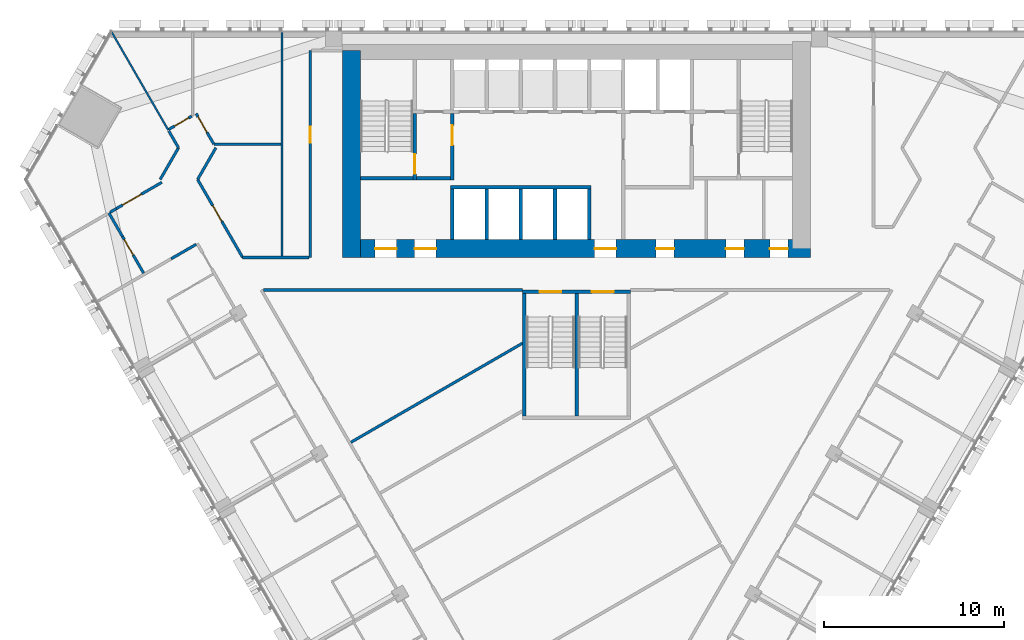
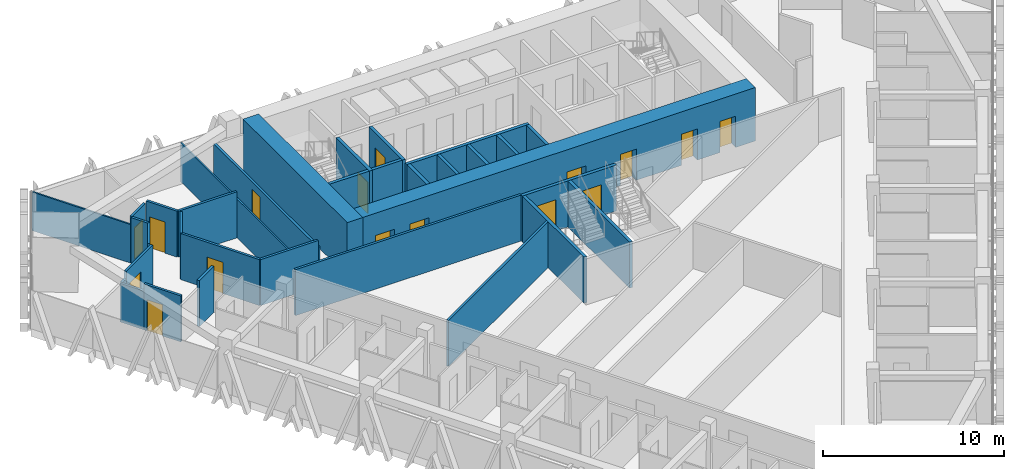
# One storey, part 12 of 18: 33 walls, 16 doors, 16 openings.
"""IFC4 building model written with IfcOpenShell, lengths in metres."""

from ifc_helpers import new_model, si_unit, direction, frame, frame_2d, origin, place, context, subcontext, project, spatial, rectangle, extrude, material, layer, layer_set, type_object, element, fill, save


model = new_model("IFC4")

# Units and contexts
model_context = context("Model", 3, precision=1e-05, world=origin(), true_north=direction((0.0, 1.0)))
body_context = subcontext(model_context, "Body", "Model", "MODEL_VIEW")
ifc_project = project(units=[si_unit("LENGTHUNIT", "METRE"), si_unit("AREAUNIT", "SQUARE_METRE"), si_unit("VOLUMEUNIT", "CUBIC_METRE"), si_unit("PLANEANGLEUNIT", "RADIAN"), si_unit("MASSUNIT", "GRAM", prefix="KILO")], contexts=[model_context])

# Site, building, storey
site_placement = place(None, origin())
site = spatial("IfcSite", under=ifc_project, at=site_placement, CompositionType="ELEMENT")
building_placement = place(site_placement, origin())
building = spatial("IfcBuilding", under=site, at=building_placement, Name="Altiplano Prism Tower", CompositionType="ELEMENT")
storey_placement = place(building_placement, frame((0.0, 0.0, 48.60009765625)))
storey = spatial("IfcBuildingStorey", under=building, at=storey_placement, Name="L11", CompositionType="ELEMENT", Elevation=48.60009765625)

# Wall, openings, doors
ifc_material_1 = material(Name="Concrete C70/85", Category="concrete")
ifc_layer_1 = layer(ifc_material_1, 1.0)
ifc_layer_set_1 = layer_set([ifc_layer_1], Name="Concrete C70/85")
wall_type_1 = type_object("IfcWallType", Name="Core wall 1000", PredefinedType="SHEAR", material=ifc_layer_set_1)
wall_1_placement = place(storey_placement, frame((72.5, 92.89990234375, 0.0), z_axis=(0.0, 0.0, 1.0), x_axis=(1.0, 0.0, 0.0)))
wall_1 = element("IfcWall", 1, at=wall_1_placement, inside=storey, type_object=wall_type_1, Name="Core wall S L11", PredefinedType="SHEAR", context=body_context, shape_type="SweptSolid", body=[
    extrude(rectangle(XDim=25.5, YDim=1.0, at=frame_2d((12.75, 0.0))), origin(), (0.0, 0.0, 1.0), 3.599853515625),
])
opening_1_placement = place(wall_1_placement, frame((1.300048828125, 0.0, 0.0)))
opening_1 = element("IfcOpeningElement", 2, at=opening_1_placement, cuts=wall_1, Name="Opening D2738", PredefinedType="OPENING", context=body_context, shape_type="SweptSolid", body=[
    extrude(rectangle(XDim=1.199951171875, YDim=2.10009765625, at=frame_2d((0.60009765625, 1.050048828125))), frame((0.0, 0.510498046875, 0.0), z_axis=(0.0, -1.0, 0.0), x_axis=(1.0, 0.0, 0.0)), (0.0, 0.0, 1.0), 1.02099609375),
])
opening_2_placement = place(wall_1_placement, frame((3.5, 0.0, 0.0)))
opening_2 = element("IfcOpeningElement", 3, at=opening_2_placement, cuts=wall_1, Name="Opening D2739", PredefinedType="OPENING", context=body_context, shape_type="SweptSolid", body=[
    extrude(rectangle(XDim=1.199951171875, YDim=2.10009765625, at=frame_2d((0.60009765625, 1.050048828125))), frame((0.0, 0.510498046875, 0.0), z_axis=(0.0, -1.0, 0.0), x_axis=(1.0, 0.0, 0.0)), (0.0, 0.0, 1.0), 1.02099609375),
])
opening_3_placement = place(wall_1_placement, frame((13.5, 0.0, 0.0)))
opening_3 = element("IfcOpeningElement", 4, at=opening_3_placement, cuts=wall_1, Name="Opening D2740", PredefinedType="OPENING", context=body_context, shape_type="SweptSolid", body=[
    extrude(rectangle(XDim=1.199951171875, YDim=2.10009765625, at=frame_2d((0.60009765625, 1.050048828125))), frame((0.0, 0.510498046875, 0.0), z_axis=(0.0, -1.0, 0.0), x_axis=(1.0, 0.0, 0.0)), (0.0, 0.0, 1.0), 1.02099609375),
])
opening_4_placement = place(wall_1_placement, frame((16.91259765625, 0.0, 0.0)))
opening_4 = element("IfcOpeningElement", 5, at=opening_4_placement, cuts=wall_1, Name="Opening D2743", PredefinedType="OPENING", context=body_context, shape_type="SweptSolid", body=[
    extrude(rectangle(XDim=1.0, YDim=2.10009765625, at=frame_2d((0.5, 1.050048828125))), frame((0.0, 0.510498046875, 0.0), z_axis=(0.0, -1.0, 0.0), x_axis=(1.0, 0.0, 0.0)), (0.0, 0.0, 1.0), 1.02099609375),
])
opening_5_placement = place(wall_1_placement, frame((20.800048828125, 0.0, 0.0)))
opening_5 = element("IfcOpeningElement", 6, at=opening_5_placement, cuts=wall_1, Name="Opening D2744", PredefinedType="OPENING", context=body_context, shape_type="SweptSolid", body=[
    extrude(rectangle(XDim=1.0, YDim=2.10009765625, at=frame_2d((0.5, 1.050048828125))), frame((0.0, 0.510498046875, 0.0), z_axis=(0.0, -1.0, 0.0), x_axis=(1.0, 0.0, 0.0)), (0.0, 0.0, 1.0), 1.02099609375),
])
opening_6_placement = place(wall_1_placement, frame((23.237548828125, 0.0, 0.0)))
opening_6 = element("IfcOpeningElement", 7, at=opening_6_placement, cuts=wall_1, Name="Opening D2745", PredefinedType="OPENING", context=body_context, shape_type="SweptSolid", body=[
    extrude(rectangle(XDim=1.0, YDim=2.10009765625, at=frame_2d((0.5, 1.050048828125))), frame((0.0, 0.510498046875, 0.0), z_axis=(0.0, -1.0, 0.0), x_axis=(1.0, 0.0, 0.0)), (0.0, 0.0, 1.0), 1.02099609375),
])
ifc_material_2 = material(Name="Fire-rated steel door", Category="steel")
door_type_1 = type_object("IfcDoorType", Name="Core room door 1000 x 2100", OperationType="NOTDEFINED", PredefinedType="NOTDEFINED", material=ifc_material_2)
door_1_placement = place(opening_4_placement, origin())
door_1 = element("IfcDoor", 8, at=door_1_placement, inside=storey, type_object=door_type_1, Name="Core room door D2743", OperationType="SINGLE_SWING_RIGHT", OverallHeight=2.10009765625, OverallWidth=1.0, PredefinedType="NOTDEFINED", context=body_context, shape_type="SweptSolid", body=[
    extrude(rectangle(XDim=1.0, YDim=2.10009765625, at=frame_2d((0.5, 1.050048828125))), frame((0.0, 0.02490234375, 0.0), z_axis=(0.0, -1.0, 0.0), x_axis=(1.0, 0.0, 0.0)), (0.0, 0.0, 1.0), 0.050048828125),
])
fill(opening_4, door_1)
door_2_placement = place(opening_5_placement, origin())
door_2 = element("IfcDoor", 9, at=door_2_placement, inside=storey, type_object=door_type_1, Name="Core room door D2744", OperationType="SINGLE_SWING_LEFT", OverallHeight=2.10009765625, OverallWidth=1.0, PredefinedType="NOTDEFINED", context=body_context, shape_type="SweptSolid", body=[
    extrude(rectangle(XDim=1.0, YDim=2.10009765625, at=frame_2d((0.5, 1.050048828125))), frame((0.0, 0.02490234375, 0.0), z_axis=(0.0, -1.0, 0.0), x_axis=(1.0, 0.0, 0.0)), (0.0, 0.0, 1.0), 0.050048828125),
])
fill(opening_5, door_2)
door_3_placement = place(opening_6_placement, origin())
door_3 = element("IfcDoor", 10, at=door_3_placement, inside=storey, type_object=door_type_1, Name="Core room door D2745", OperationType="SINGLE_SWING_RIGHT", OverallHeight=2.10009765625, OverallWidth=1.0, PredefinedType="NOTDEFINED", context=body_context, shape_type="SweptSolid", body=[
    extrude(rectangle(XDim=1.0, YDim=2.10009765625, at=frame_2d((0.5, 1.050048828125))), frame((0.0, 0.02490234375, 0.0), z_axis=(0.0, -1.0, 0.0), x_axis=(1.0, 0.0, 0.0)), (0.0, 0.0, 1.0), 0.050048828125),
])
fill(opening_6, door_3)
door_type_2 = type_object("IfcDoorType", Name="Lobby fire door 1200 x 2100", OperationType="NOTDEFINED", PredefinedType="NOTDEFINED", material=ifc_material_2)
door_4_placement = place(opening_1_placement, origin())
door_4 = element("IfcDoor", 11, at=door_4_placement, inside=storey, type_object=door_type_2, Name="Lobby fire door D2738", OperationType="SINGLE_SWING_RIGHT", OverallHeight=2.10009765625, OverallWidth=1.199951171875, PredefinedType="NOTDEFINED", context=body_context, shape_type="SweptSolid", body=[
    extrude(rectangle(XDim=1.199951171875, YDim=2.10009765625, at=frame_2d((0.60009765625, 1.050048828125))), frame((0.0, 0.02490234375, 0.0), z_axis=(0.0, -1.0, 0.0), x_axis=(1.0, 0.0, 0.0)), (0.0, 0.0, 1.0), 0.050048828125),
])
fill(opening_1, door_4)
door_5_placement = place(opening_2_placement, origin())
door_5 = element("IfcDoor", 12, at=door_5_placement, inside=storey, type_object=door_type_2, Name="Lobby fire door D2739", OperationType="SINGLE_SWING_LEFT", OverallHeight=2.10009765625, OverallWidth=1.199951171875, PredefinedType="NOTDEFINED", context=body_context, shape_type="SweptSolid", body=[
    extrude(rectangle(XDim=1.199951171875, YDim=2.10009765625, at=frame_2d((0.60009765625, 1.050048828125))), frame((0.0, 0.02490234375, 0.0), z_axis=(0.0, -1.0, 0.0), x_axis=(1.0, 0.0, 0.0)), (0.0, 0.0, 1.0), 0.050048828125),
])
fill(opening_2, door_5)
door_6_placement = place(opening_3_placement, origin())
door_6 = element("IfcDoor", 13, at=door_6_placement, inside=storey, type_object=door_type_2, Name="Lobby fire door D2740", OperationType="SINGLE_SWING_RIGHT", OverallHeight=2.10009765625, OverallWidth=1.199951171875, PredefinedType="NOTDEFINED", context=body_context, shape_type="SweptSolid", body=[
    extrude(rectangle(XDim=1.199951171875, YDim=2.10009765625, at=frame_2d((0.60009765625, 1.050048828125))), frame((0.0, 0.02490234375, 0.0), z_axis=(0.0, -1.0, 0.0), x_axis=(1.0, 0.0, 0.0)), (0.0, 0.0, 1.0), 0.050048828125),
])
fill(opening_3, door_6)

# Walls
wall_2_placement = place(storey_placement, frame((72.5, 103.89990234375, 0.0), z_axis=(0.0, 0.0, 1.0), x_axis=(0.0, -1.0, 0.0)))
element("IfcWall", 14, at=wall_2_placement, inside=storey, type_object=wall_type_1, Name="Core wall W L11", PredefinedType="SHEAR", context=body_context, shape_type="SweptSolid", body=[
    extrude(rectangle(XDim=11.5, YDim=1.0, at=frame_2d((5.75, 0.0))), origin(), (0.0, 0.0, 1.0), 3.599853515625),
])
ifc_material_3 = material(Name="Plasterboard on steel stud", Category="steel")
ifc_layer_2 = layer(ifc_material_3, 0.10009765625)
ifc_layer_set_2 = layer_set([ifc_layer_2], Name="Plasterboard on steel stud")
wall_type_2 = type_object("IfcWallType", Name="Partition 100 wet", PredefinedType="PARTITIONING", material=ifc_layer_set_2)
wall_3_placement = place(storey_placement, frame((59.1826171875, 104.89990234375, 0.0), z_axis=(0.0, 0.0, 1.0), x_axis=(0.500005118993, -0.866022448312, 0.0)))
element("IfcWall", 15, at=wall_3_placement, inside=storey, type_object=wall_type_2, Name="Partition P03 L11 045", PredefinedType="PARTITIONING", context=body_context, shape_type="SweptSolid", body=[
    extrude(rectangle(XDim=6.25537109375, YDim=0.10009765625, at=frame_2d((3.127685546875, 0.0))), origin(), (0.0, 0.0, 1.0), 2.599853515625),
])
wall_4_placement = place(storey_placement, frame((68.633056640625, 104.89990234375, 0.0), z_axis=(0.0, 0.0, 1.0), x_axis=(0.0, -1.0, 0.0)))
element("IfcWall", 16, at=wall_4_placement, inside=storey, type_object=wall_type_2, Name="Partition P03 L11 046", PredefinedType="PARTITIONING", context=body_context, shape_type="SweptSolid", body=[
    extrude(rectangle(XDim=12.4248046875, YDim=0.10009765625, at=frame_2d((6.21240234375, 0.0))), origin(), (0.0, 0.0, 1.0), 2.599853515625),
])

# Wall, opening, door
ifc_layer_3 = layer(ifc_material_3, 0.14990234375)
ifc_layer_set_3 = layer_set([ifc_layer_3], Name="Plasterboard on steel stud")
wall_type_3 = type_object("IfcWallType", Name="Partition 150 corridor", PredefinedType="PARTITIONING", material=ifc_layer_set_3)
wall_5_placement = place(storey_placement, frame((63.611572265625, 100.2568359375, 0.0), z_axis=(0.0, 0.0, 1.0), x_axis=(-0.866038398192, -0.499977492351, 0.0)))
wall_5 = element("IfcWall", 17, at=wall_5_placement, inside=storey, type_object=wall_type_3, Name="Partition P06 L11 001", PredefinedType="PARTITIONING", context=body_context, shape_type="SweptSolid", body=[
    extrude(rectangle(XDim=1.4638671875, YDim=0.14990234375, at=frame_2d((0.73193359375, 0.0))), origin(), (0.0, 0.0, 1.0), 3.099853515625),
])
opening_7_placement = place(wall_5_placement, frame((0.199951171875, 0.0, 0.0)))
opening_7 = element("IfcOpeningElement", 18, at=opening_7_placement, cuts=wall_5, Name="Opening D0422", PredefinedType="OPENING", context=body_context, shape_type="SweptSolid", body=[
    extrude(rectangle(XDim=0.89990234375, YDim=2.10009765625, at=frame_2d((0.449951171875, 1.050048828125))), frame((0.0, 0.08544921875, 0.0), z_axis=(0.0, -1.0, 0.0), x_axis=(1.0, 0.0, 0.0)), (0.0, 0.0, 1.0), 0.1708984375),
])
ifc_material_4 = material(Name="Timber", Category="wood")
door_type_3 = type_object("IfcDoorType", Name="Toilet door 900 x 2100", OperationType="NOTDEFINED", PredefinedType="NOTDEFINED", material=ifc_material_4)
door_7_placement = place(opening_7_placement, origin())
door_7 = element("IfcDoor", 19, at=door_7_placement, inside=storey, type_object=door_type_3, Name="Door D0422", OperationType="SINGLE_SWING_RIGHT", OverallHeight=2.10009765625, OverallWidth=0.89990234375, PredefinedType="NOTDEFINED", context=body_context, shape_type="SweptSolid", body=[
    extrude(rectangle(XDim=0.89990234375, YDim=2.10009765625, at=frame_2d((0.449951171875, 1.050048828125))), frame((0.0, 0.02490234375, 0.0), z_axis=(0.0, -1.0, 0.0), x_axis=(1.0, 0.0, 0.0)), (0.0, 0.0, 1.0), 0.050048828125),
])
fill(opening_7, door_7)

wall_6_placement = place(storey_placement, frame((70.199951171875, 103.89990234375, 0.0), z_axis=(0.0, 0.0, 1.0), x_axis=(0.0, -1.0, 0.0)))
wall_6 = element("IfcWall", 20, at=wall_6_placement, inside=storey, type_object=wall_type_3, Name="Partition P06 L11 003", PredefinedType="PARTITIONING", context=body_context, shape_type="SweptSolid", body=[
    extrude(rectangle(XDim=11.5, YDim=0.14990234375, at=frame_2d((5.75, 0.0))), origin(), (0.0, 0.0, 1.0), 2.599853515625),
])
opening_8_placement = place(wall_6_placement, frame((4.22607421875, 0.0, 0.0)))
opening_8 = element("IfcOpeningElement", 21, at=opening_8_placement, cuts=wall_6, Name="Opening D0423", PredefinedType="OPENING", context=body_context, shape_type="SweptSolid", body=[
    extrude(rectangle(XDim=0.89990234375, YDim=2.10009765625, at=frame_2d((0.449951171875, 1.050048828125))), frame((0.0, 0.08544921875, 0.0), z_axis=(0.0, -1.0, 0.0), x_axis=(1.0, 0.0, 0.0)), (0.0, 0.0, 1.0), 0.1708984375),
])
door_8_placement = place(opening_8_placement, origin())
door_8 = element("IfcDoor", 22, at=door_8_placement, inside=storey, type_object=door_type_3, Name="Door D0423", OperationType="SINGLE_SWING_LEFT", OverallHeight=2.10009765625, OverallWidth=0.89990234375, PredefinedType="NOTDEFINED", context=body_context, shape_type="SweptSolid", body=[
    extrude(rectangle(XDim=0.89990234375, YDim=2.10009765625, at=frame_2d((0.449951171875, 1.050048828125))), frame((0.0, 0.02490234375, 0.0), z_axis=(0.0, -1.0, 0.0), x_axis=(1.0, 0.0, 0.0)), (0.0, 0.0, 1.0), 0.050048828125),
])
fill(opening_8, door_8)

# Wall
wall_7_placement = place(storey_placement, frame((70.125, 92.39990234375, 0.0), z_axis=(0.0, 0.0, 1.0), x_axis=(-1.0, 0.0, 0.0)))
element("IfcWall", 23, at=wall_7_placement, inside=storey, type_object=wall_type_3, Name="Partition P06 L11 004", PredefinedType="PARTITIONING", context=body_context, shape_type="SweptSolid", body=[
    extrude(rectangle(XDim=3.679443359375, YDim=0.14990234375, at=frame_2d((1.83984375, 0.0))), origin(), (0.0, 0.0, 1.0), 3.099853515625),
])

# Wall, opening, door
wall_8_placement = place(storey_placement, frame((66.445556640625, 92.39990234375, 0.0), z_axis=(0.0, 0.0, 1.0), x_axis=(-0.500000789788, 0.8660249478, 0.0)))
wall_8 = element("IfcWall", 24, at=wall_8_placement, inside=storey, type_object=wall_type_3, Name="Partition P06 L11 005", PredefinedType="PARTITIONING", context=body_context, shape_type="SweptSolid", body=[
    extrude(rectangle(XDim=5.01123046875, YDim=0.14990234375, at=frame_2d((2.505615234375, 0.0))), origin(), (0.0, 0.0, 1.0), 3.099853515625),
])
opening_9_placement = place(wall_8_placement, frame((2.3291015625, 0.0, 0.0)))
opening_9 = element("IfcOpeningElement", 25, at=opening_9_placement, cuts=wall_8, Name="Opening D0424", PredefinedType="OPENING", context=body_context, shape_type="SweptSolid", body=[
    extrude(rectangle(XDim=1.0, YDim=2.10009765625, at=frame_2d((0.5, 1.050048828125))), frame((0.0, 0.08544921875, 0.0), z_axis=(0.0, -1.0, 0.0), x_axis=(1.0, 0.0, 0.0)), (0.0, 0.0, 1.0), 0.1708984375),
])
door_type_4 = type_object("IfcDoorType", Name="Store door 1000 x 2100", OperationType="NOTDEFINED", PredefinedType="NOTDEFINED", material=ifc_material_4)
door_9_placement = place(opening_9_placement, origin())
door_9 = element("IfcDoor", 26, at=door_9_placement, inside=storey, type_object=door_type_4, Name="Door D0424", OperationType="SINGLE_SWING_RIGHT", OverallHeight=2.10009765625, OverallWidth=1.0, PredefinedType="NOTDEFINED", context=body_context, shape_type="SweptSolid", body=[
    extrude(rectangle(XDim=1.0, YDim=2.10009765625, at=frame_2d((0.5, 1.050048828125))), frame((0.0, 0.02490234375, 0.0), z_axis=(0.0, -1.0, 0.0), x_axis=(1.0, 0.0, 0.0)), (0.0, 0.0, 1.0), 0.050048828125),
])
fill(opening_9, door_9)

# Wall
wall_9_placement = place(storey_placement, frame((63.93994140625, 96.73974609375, 0.0), z_axis=(0.0, 0.0, 1.0), x_axis=(0.50002743572, 0.866009563185, 0.0)))
element("IfcWall", 27, at=wall_9_placement, inside=storey, type_object=wall_type_3, Name="Partition P06 L11 006", PredefinedType="PARTITIONING", context=body_context, shape_type="SweptSolid", body=[
    extrude(rectangle(XDim=2.03271484375, YDim=0.14990234375, at=frame_2d((1.016357421875, 0.0))), origin(), (0.0, 0.0, 1.0), 3.099853515625),
])

# Wall, opening, door
wall_10_placement = place(storey_placement, frame((64.841552734375, 98.700439453125, 0.0), z_axis=(0.0, 0.0, 1.0), x_axis=(-0.500379133502, 0.865806400274, 0.0)))
wall_10 = element("IfcWall", 28, at=wall_10_placement, inside=storey, type_object=wall_type_3, Name="Partition P06 L11 007", PredefinedType="PARTITIONING", context=body_context, shape_type="SweptSolid", body=[
    extrude(rectangle(XDim=1.962890625, YDim=0.14990234375, at=frame_2d((0.9814453125, 0.0))), origin(), (0.0, 0.0, 1.0), 3.099853515625),
])
opening_10_placement = place(wall_10_placement, frame((0.762939453125, 0.0, 0.0)))
opening_10 = element("IfcOpeningElement", 29, at=opening_10_placement, cuts=wall_10, Name="Opening D0425", PredefinedType="OPENING", context=body_context, shape_type="SweptSolid", body=[
    extrude(rectangle(XDim=1.0, YDim=2.10009765625, at=frame_2d((0.5, 1.050048828125))), frame((0.0, 0.08544921875, 0.0), z_axis=(0.0, -1.0, 0.0), x_axis=(1.0, 0.0, 0.0)), (0.0, 0.0, 1.0), 0.1708984375),
])
door_10_placement = place(opening_10_placement, origin())
door_10 = element("IfcDoor", 30, at=door_10_placement, inside=storey, type_object=door_type_4, Name="Door D0425", OperationType="SINGLE_SWING_LEFT", OverallHeight=2.10009765625, OverallWidth=1.0, PredefinedType="NOTDEFINED", context=body_context, shape_type="SweptSolid", body=[
    extrude(rectangle(XDim=1.0, YDim=2.10009765625, at=frame_2d((0.5, 1.050048828125))), frame((0.0, 0.02490234375, 0.0), z_axis=(0.0, -1.0, 0.0), x_axis=(1.0, 0.0, 0.0)), (0.0, 0.0, 1.0), 0.050048828125),
])
fill(opening_10, door_10)

# Walls
wall_11_placement = place(storey_placement, frame((62.337890625, 99.43505859375, 0.0), z_axis=(0.0, 0.0, 1.0), x_axis=(0.499957341738, -0.866050031143, 0.0)))
element("IfcWall", 31, at=wall_11_placement, inside=storey, type_object=wall_type_3, Name="Partition P06 L11 008", PredefinedType="PARTITIONING", context=body_context, shape_type="SweptSolid", body=[
    extrude(rectangle(XDim=1.07958984375, YDim=0.14990234375, at=frame_2d((0.539794921875, 0.0))), origin(), (0.0, 0.0, 1.0), 3.099853515625),
])
wall_12_placement = place(storey_placement, frame((62.877685546875, 98.5, 0.0), z_axis=(0.0, 0.0, 1.0), x_axis=(-0.50002743572, -0.866009563185, 0.0)))
element("IfcWall", 32, at=wall_12_placement, inside=storey, type_object=wall_type_3, Name="Partition P06 L11 009", PredefinedType="PARTITIONING", context=body_context, shape_type="SweptSolid", body=[
    extrude(rectangle(XDim=2.03271484375, YDim=0.14990234375, at=frame_2d((1.016357421875, 0.0))), origin(), (0.0, 0.0, 1.0), 3.099853515625),
])

# Wall, opening, door
wall_13_placement = place(storey_placement, frame((61.953857421875, 96.579833984375, 0.0), z_axis=(0.0, 0.0, 1.0), x_axis=(-0.866013036001, -0.500021421018, 0.0)))
wall_13 = element("IfcWall", 33, at=wall_13_placement, inside=storey, type_object=wall_type_3, Name="Partition P06 L11 010", PredefinedType="PARTITIONING", context=body_context, shape_type="SweptSolid", body=[
    extrude(rectangle(XDim=2.921630859375, YDim=0.14990234375, at=frame_2d((1.4609375, 0.0))), origin(), (0.0, 0.0, 1.0), 3.099853515625),
])
opening_11_placement = place(wall_13_placement, frame((1.321044921875, 0.0, 0.0)))
opening_11 = element("IfcOpeningElement", 34, at=opening_11_placement, cuts=wall_13, Name="Opening D0426", PredefinedType="OPENING", context=body_context, shape_type="SweptSolid", body=[
    extrude(rectangle(XDim=1.199951171875, YDim=2.10009765625, at=frame_2d((0.60009765625, 1.050048828125))), frame((0.0, 0.08544921875, 0.0), z_axis=(0.0, -1.0, 0.0), x_axis=(1.0, 0.0, 0.0)), (0.0, 0.0, 1.0), 0.1708984375),
])
door_type_5 = type_object("IfcDoorType", Name="Shared room door 1200 x 2100", OperationType="NOTDEFINED", PredefinedType="NOTDEFINED", material=ifc_material_4)
door_11_placement = place(opening_11_placement, origin())
door_11 = element("IfcDoor", 35, at=door_11_placement, inside=storey, type_object=door_type_5, Name="Door D0426", OperationType="SINGLE_SWING_RIGHT", OverallHeight=2.10009765625, OverallWidth=1.199951171875, PredefinedType="NOTDEFINED", context=body_context, shape_type="SweptSolid", body=[
    extrude(rectangle(XDim=1.199951171875, YDim=2.10009765625, at=frame_2d((0.60009765625, 1.050048828125))), frame((0.0, 0.02490234375, 0.0), z_axis=(0.0, -1.0, 0.0), x_axis=(1.0, 0.0, 0.0)), (0.0, 0.0, 1.0), 0.050048828125),
])
fill(opening_11, door_11)

# Walls
wall_14_placement = place(storey_placement, frame((59.423583984375, 95.118896484375, 0.0), z_axis=(0.0, 0.0, 1.0), x_axis=(-0.866074730264, -0.499914554297, 0.0)))
element("IfcWall", 36, at=wall_14_placement, inside=storey, type_object=wall_type_3, Name="Partition P06 L11 011", PredefinedType="PARTITIONING", context=body_context, shape_type="SweptSolid", body=[
    extrude(rectangle(XDim=0.4033203125, YDim=0.14990234375, at=frame_2d((0.20166015625, 0.0))), origin(), (0.0, 0.0, 1.0), 2.599853515625),
])
wall_15_placement = place(storey_placement, frame((59.00927734375, 94.879638671875, 0.0), z_axis=(0.0, 0.0, 1.0), x_axis=(0.500045262687, -0.865999269783, 0.0)))
element("IfcWall", 37, at=wall_15_placement, inside=storey, type_object=wall_type_3, Name="Partition P06 L11 012", PredefinedType="PARTITIONING", context=body_context, shape_type="SweptSolid", body=[
    extrude(rectangle(XDim=1.505615234375, YDim=0.14990234375, at=frame_2d((0.7529296875, 0.0))), origin(), (0.0, 0.0, 1.0), 2.599853515625),
])

# Wall, opening, door
wall_16_placement = place(storey_placement, frame((59.76220703125, 93.57568359375, 0.0), z_axis=(0.0, 0.0, 1.0), x_axis=(0.500027327967, -0.8660096254, 0.0)))
wall_16 = element("IfcWall", 38, at=wall_16_placement, inside=storey, type_object=wall_type_3, Name="Partition P06 L11 013", PredefinedType="PARTITIONING", context=body_context, shape_type="SweptSolid", body=[
    extrude(rectangle(XDim=2.356689453125, YDim=0.14990234375, at=frame_2d((1.17822265625, 0.0))), origin(), (0.0, 0.0, 1.0), 3.099853515625),
])
opening_12_placement = place(wall_16_placement, frame((0.199951171875, 0.0, 0.0)))
opening_12 = element("IfcOpeningElement", 39, at=opening_12_placement, cuts=wall_16, Name="Opening D0427", PredefinedType="OPENING", context=body_context, shape_type="SweptSolid", body=[
    extrude(rectangle(XDim=1.0, YDim=2.10009765625, at=frame_2d((0.5, 1.050048828125))), frame((0.0, 0.08544921875, 0.0), z_axis=(0.0, -1.0, 0.0), x_axis=(1.0, 0.0, 0.0)), (0.0, 0.0, 1.0), 0.1708984375),
])
door_type_6 = type_object("IfcDoorType", Name="Room door 1000 x 2100", OperationType="NOTDEFINED", PredefinedType="NOTDEFINED", material=ifc_material_4)
door_12_placement = place(opening_12_placement, origin())
door_12 = element("IfcDoor", 40, at=door_12_placement, inside=storey, type_object=door_type_6, Name="Door D0427", OperationType="SINGLE_SWING_RIGHT", OverallHeight=2.10009765625, OverallWidth=1.0, PredefinedType="NOTDEFINED", context=body_context, shape_type="SweptSolid", body=[
    extrude(rectangle(XDim=1.0, YDim=2.10009765625, at=frame_2d((0.5, 1.050048828125))), frame((0.0, 0.02490234375, 0.0), z_axis=(0.0, -1.0, 0.0), x_axis=(1.0, 0.0, 0.0)), (0.0, 0.0, 1.0), 0.050048828125),
])
fill(opening_12, door_12)

# Walls
wall_17_placement = place(storey_placement, frame((62.467529296875, 92.329833984375, 0.0), z_axis=(0.0, 0.0, 1.0), x_axis=(0.866053882819, 0.499950669621, 0.0)))
element("IfcWall", 41, at=wall_17_placement, inside=storey, type_object=wall_type_3, Name="Partition P06 L11 014", PredefinedType="PARTITIONING", context=body_context, shape_type="SweptSolid", body=[
    extrude(rectangle(XDim=1.605224609375, YDim=0.14990234375, at=frame_2d((0.802734375, 0.0))), origin(), (0.0, 0.0, 1.0), 3.099853515625),
])
wall_18_placement = place(storey_placement, frame((67.614501953125, 90.60009765625, 0.0), z_axis=(0.0, 0.0, 1.0), x_axis=(0.999999997696, -6.7885206e-05, 0.0)))
element("IfcWall", 42, at=wall_18_placement, inside=storey, type_object=wall_type_3, Name="Partition P06 L11 043", PredefinedType="PARTITIONING", context=body_context, shape_type="SweptSolid", body=[
    extrude(rectangle(XDim=14.385498046875, YDim=0.14990234375, at=frame_2d((7.19287109375, 0.0))), origin(), (0.0, 0.0, 1.0), 3.099853515625),
])
ifc_layer_4 = layer(ifc_material_3, 0.14990234375)
ifc_layer_set_4 = layer_set([ifc_layer_4], Name="Plasterboard on steel stud")
wall_type_4 = type_object("IfcWallType", Name="Partition 150 party", PredefinedType="PARTITIONING", material=ifc_layer_set_4)
wall_19_placement = place(storey_placement, frame((68.5830078125, 98.700439453125, 0.0), z_axis=(0.0, 0.0, 1.0), x_axis=(-1.0, 0.0, 0.0)))
element("IfcWall", 43, at=wall_19_placement, inside=storey, type_object=wall_type_4, Name="Partition P01 L11 047", PredefinedType="PARTITIONING", context=body_context, shape_type="SweptSolid", body=[
    extrude(rectangle(XDim=3.741455078125, YDim=0.14990234375, at=frame_2d((1.87060546875, 0.0))), origin(), (0.0, 0.0, 1.0), 3.099853515625),
])
wall_20_placement = place(storey_placement, frame((72.458740234375, 82.134521484375, 0.0), z_axis=(0.0, 0.0, 1.0), x_axis=(0.866029490193, 0.499992922065, 0.0)))
element("IfcWall", 44, at=wall_20_placement, inside=storey, type_object=wall_type_4, Name="Partition P01 L11 112", PredefinedType="PARTITIONING", context=body_context, shape_type="SweptSolid", body=[
    extrude(rectangle(XDim=11.017333984375, YDim=0.14990234375, at=frame_2d((5.5087890625, 0.0))), origin(), (0.0, 0.0, 1.0), 3.099853515625),
])
ifc_material_5 = material(Name="Concrete C60/75", Category="concrete")
ifc_layer_5 = layer(ifc_material_5, 0.199951171875)
ifc_layer_set_5 = layer_set([ifc_layer_5], Name="Concrete C60/75")
wall_type_5 = type_object("IfcWallType", Name="Shaft wall 200", PredefinedType="SOLIDWALL", material=ifc_layer_set_5)
for number, where, z_axis, x_axis, name in (
    (45, (78.10009765625, 93.39990234375, 0.0), (0.0, 0.0, 1.0), (0.0, 1.0, 0.0), "Shaft wall L11"),
    (46, (80.0, 93.39990234375, 0.0), (0.0, 0.0, 1.0), (0.0, 1.0, 0.0), "Shaft wall L11"),
    (47, (81.89990234375, 93.39990234375, 0.0), (0.0, 0.0, 1.0), (0.0, 1.0, 0.0), "Shaft wall L11"),
    (48, (83.800048828125, 93.39990234375, 0.0), (0.0, 0.0, 1.0), (0.0, 1.0, 0.0), "Shaft wall L11"),
    (49, (85.699951171875, 93.39990234375, 0.0), (0.0, 0.0, 1.0), (0.0, 1.0, 0.0), "Shaft wall L11"),
):
    element("IfcWall", number, at=place(storey_placement, frame(where, z_axis=z_axis, x_axis=x_axis)), inside=storey, type_object=wall_type_5, Name=name, PredefinedType="SOLIDWALL", context=body_context, shape_type="SweptSolid", body=[
        extrude(rectangle(XDim=2.800048828125, YDim=0.199951171875, at=frame_2d((1.39990234375, 0.0))), origin(), (0.0, 0.0, 1.0), 3.099853515625),
    ])
wall_21_placement = place(storey_placement, frame((78.0, 96.300048828125, 0.0), z_axis=(0.0, 0.0, 1.0), x_axis=(1.0, 0.0, 0.0)))
element("IfcWall", 50, at=wall_21_placement, inside=storey, type_object=wall_type_5, Name="Shaft wall L11", PredefinedType="SOLIDWALL", context=body_context, shape_type="SweptSolid", body=[
    extrude(rectangle(XDim=7.800048828125, YDim=0.199951171875, at=frame_2d((3.89990234375, 0.0))), origin(), (0.0, 0.0, 1.0), 3.099853515625),
])
ifc_layer_6 = layer(ifc_material_5, 0.199951171875)
ifc_layer_set_6 = layer_set([ifc_layer_6], Name="Concrete C60/75")
wall_type_6 = type_object("IfcWallType", Name="Stair wall 200", PredefinedType="SOLIDWALL", material=ifc_layer_set_6)
wall_22_placement = place(storey_placement, frame((73.0, 96.800048828125, 0.0), z_axis=(0.0, 0.0, 1.0), x_axis=(1.0, 0.0, 0.0)))
element("IfcWall", 51, at=wall_22_placement, inside=storey, type_object=wall_type_6, Name="Stair wall L11", PredefinedType="SOLIDWALL", context=body_context, shape_type="SweptSolid", body=[
    extrude(rectangle(XDim=2.89990234375, YDim=0.199951171875, at=frame_2d((1.449951171875, 0.0))), origin(), (0.0, 0.0, 1.0), 3.099853515625),
])

# Wall, opening, door
wall_23_placement = place(storey_placement, frame((76.0, 96.699951171875, 0.0), z_axis=(0.0, 0.0, 1.0), x_axis=(0.0, 1.0, 0.0)))
wall_23 = element("IfcWall", 52, at=wall_23_placement, inside=storey, type_object=wall_type_6, Name="Stair wall L11", PredefinedType="SOLIDWALL", context=body_context, shape_type="SweptSolid", body=[
    extrude(rectangle(XDim=3.699951171875, YDim=0.199951171875, at=frame_2d((1.85009765625, 0.0))), origin(), (0.0, 0.0, 1.0), 3.099853515625),
])
opening_13_placement = place(wall_23_placement, frame((0.35009765625, 0.0, 0.0)))
opening_13 = element("IfcOpeningElement", 53, at=opening_13_placement, cuts=wall_23, Name="Opening D2733", PredefinedType="OPENING", context=body_context, shape_type="SweptSolid", body=[
    extrude(rectangle(XDim=1.10009765625, YDim=2.10009765625, at=frame_2d((0.550048828125, 1.050048828125))), frame((0.0, 0.1103515625, 0.0), z_axis=(0.0, -1.0, 0.0), x_axis=(1.0, 0.0, 0.0)), (0.0, 0.0, 1.0), 0.220947265625),
])
door_type_7 = type_object("IfcDoorType", Name="Stair fire door 1100 x 2100", OperationType="NOTDEFINED", PredefinedType="NOTDEFINED", material=ifc_material_2)
door_13_placement = place(opening_13_placement, origin())
door_13 = element("IfcDoor", 54, at=door_13_placement, inside=storey, type_object=door_type_7, Name="Stair fire door D2733", OperationType="SINGLE_SWING_RIGHT", OverallHeight=2.10009765625, OverallWidth=1.10009765625, PredefinedType="NOTDEFINED", context=body_context, shape_type="SweptSolid", body=[
    extrude(rectangle(XDim=1.10009765625, YDim=2.10009765625, at=frame_2d((0.550048828125, 1.050048828125))), frame((0.0, 0.02490234375, 0.0), z_axis=(0.0, -1.0, 0.0), x_axis=(1.0, 0.0, 0.0)), (0.0, 0.0, 1.0), 0.050048828125),
])
fill(opening_13, door_13)

# Wall, openings, doors
wall_24_placement = place(storey_placement, frame((82.0, 90.5, 0.0), z_axis=(0.0, 0.0, 1.0), x_axis=(1.0, 0.0, 0.0)))
wall_24 = element("IfcWall", 55, at=wall_24_placement, inside=storey, type_object=wall_type_6, Name="Stair 3 wall north L11", PredefinedType="SOLIDWALL", context=body_context, shape_type="SweptSolid", body=[
    extrude(rectangle(XDim=6.0, YDim=0.199951171875, at=frame_2d((3.0, 0.0))), origin(), (0.0, 0.0, 1.0), 3.099853515625),
])
opening_14_placement = place(wall_24_placement, frame((0.949951171875, 0.0, 0.0)))
opening_14 = element("IfcOpeningElement", 56, at=opening_14_placement, cuts=wall_24, Name="Opening D3944", PredefinedType="OPENING", context=body_context, shape_type="SweptSolid", body=[
    extrude(rectangle(XDim=1.199951171875, YDim=2.10009765625, at=frame_2d((0.60009765625, 1.050048828125))), frame((0.0, 0.1103515625, 0.0), z_axis=(0.0, -1.0, 0.0), x_axis=(1.0, 0.0, 0.0)), (0.0, 0.0, 1.0), 0.220947265625),
])
opening_15_placement = place(wall_24_placement, frame((3.85009765625, 0.0, 0.0)))
opening_15 = element("IfcOpeningElement", 57, at=opening_15_placement, cuts=wall_24, Name="Opening D3945", PredefinedType="OPENING", context=body_context, shape_type="SweptSolid", body=[
    extrude(rectangle(XDim=1.199951171875, YDim=2.10009765625, at=frame_2d((0.60009765625, 1.050048828125))), frame((0.0, 0.1103515625, 0.0), z_axis=(0.0, -1.0, 0.0), x_axis=(1.0, 0.0, 0.0)), (0.0, 0.0, 1.0), 0.220947265625),
])
door_type_8 = type_object("IfcDoorType", Name="Stair fire door 1200 x 2100", OperationType="NOTDEFINED", PredefinedType="NOTDEFINED", material=ifc_material_2)
door_14_placement = place(opening_14_placement, origin())
door_14 = element("IfcDoor", 58, at=door_14_placement, inside=storey, type_object=door_type_8, Name="Stair fire door D3944", OperationType="SINGLE_SWING_LEFT", OverallHeight=2.10009765625, OverallWidth=1.199951171875, PredefinedType="NOTDEFINED", context=body_context, shape_type="SweptSolid", body=[
    extrude(rectangle(XDim=1.199951171875, YDim=2.10009765625, at=frame_2d((0.60009765625, 1.050048828125))), frame((0.0, 0.02490234375, 0.0), z_axis=(0.0, -1.0, 0.0), x_axis=(1.0, 0.0, 0.0)), (0.0, 0.0, 1.0), 0.050048828125),
])
fill(opening_14, door_14)
door_15_placement = place(opening_15_placement, origin())
door_15 = element("IfcDoor", 59, at=door_15_placement, inside=storey, type_object=door_type_8, Name="Stair fire door D3945", OperationType="SINGLE_SWING_LEFT", OverallHeight=2.10009765625, OverallWidth=1.199951171875, PredefinedType="NOTDEFINED", context=body_context, shape_type="SweptSolid", body=[
    extrude(rectangle(XDim=1.199951171875, YDim=2.10009765625, at=frame_2d((0.60009765625, 1.050048828125))), frame((0.0, 0.02490234375, 0.0), z_axis=(0.0, -1.0, 0.0), x_axis=(1.0, 0.0, 0.0)), (0.0, 0.0, 1.0), 0.050048828125),
])
fill(opening_15, door_15)

# Walls
for number, where, z_axis, x_axis, name in (
    (60, (82.10009765625, 83.60009765625, 0.0), (0.0, 0.0, 1.0), (0.0, 1.0, 0.0), "Stair 3 wall west L11"),
    (61, (85.0, 83.60009765625, 0.0), (0.0, 0.0, 1.0), (0.0, 1.0, 0.0), "Stair 3 wall divider L11"),
):
    element("IfcWall", number, at=place(storey_placement, frame(where, z_axis=z_axis, x_axis=x_axis)), inside=storey, type_object=wall_type_6, Name=name, PredefinedType="SOLIDWALL", context=body_context, shape_type="SweptSolid", body=[
        extrude(rectangle(XDim=6.7998046875, YDim=0.199951171875, at=frame_2d((3.39990234375, 0.0))), origin(), (0.0, 0.0, 1.0), 3.099853515625),
    ])
ifc_layer_7 = layer(ifc_material_5, 0.199951171875)
ifc_layer_set_7 = layer_set([ifc_layer_7], Name="Concrete C60/75")
wall_type_7 = type_object("IfcWallType", Name="Vestibule wall 200", PredefinedType="PARTITIONING", material=ifc_layer_set_7)
wall_25_placement = place(storey_placement, frame((76.10009765625, 96.800048828125, 0.0), z_axis=(0.0, 0.0, 1.0), x_axis=(1.0, 0.0, 0.0)))
element("IfcWall", 62, at=wall_25_placement, inside=storey, type_object=wall_type_7, Name="Vestibule wall L11", PredefinedType="PARTITIONING", context=body_context, shape_type="SweptSolid", body=[
    extrude(rectangle(XDim=1.89990234375, YDim=0.199951171875, at=frame_2d((0.949951171875, 0.0))), origin(), (0.0, 0.0, 1.0), 3.099853515625),
])

# Wall, opening, door
wall_26_placement = place(storey_placement, frame((78.10009765625, 96.699951171875, 0.0), z_axis=(0.0, 0.0, 1.0), x_axis=(0.0, 1.0, 0.0)))
wall_26 = element("IfcWall", 63, at=wall_26_placement, inside=storey, type_object=wall_type_7, Name="Vestibule wall L11", PredefinedType="PARTITIONING", context=body_context, shape_type="SweptSolid", body=[
    extrude(rectangle(XDim=3.699951171875, YDim=0.199951171875, at=frame_2d((1.85009765625, 0.0))), origin(), (0.0, 0.0, 1.0), 3.099853515625),
])
opening_16_placement = place(wall_26_placement, frame((1.949951171875, 0.0, 0.0)))
opening_16 = element("IfcOpeningElement", 64, at=opening_16_placement, cuts=wall_26, Name="Opening D2735", PredefinedType="OPENING", context=body_context, shape_type="SweptSolid", body=[
    extrude(rectangle(XDim=1.10009765625, YDim=2.10009765625, at=frame_2d((0.550048828125, 1.050048828125))), frame((0.0, 0.1103515625, 0.0), z_axis=(0.0, -1.0, 0.0), x_axis=(1.0, 0.0, 0.0)), (0.0, 0.0, 1.0), 0.220947265625),
])
door_type_9 = type_object("IfcDoorType", Name="Vestibule fire door 1100 x 2100", OperationType="NOTDEFINED", PredefinedType="NOTDEFINED", material=ifc_material_2)
door_16_placement = place(opening_16_placement, origin())
door_16 = element("IfcDoor", 65, at=door_16_placement, inside=storey, type_object=door_type_9, Name="Vestibule fire door D2735", OperationType="SINGLE_SWING_LEFT", OverallHeight=2.10009765625, OverallWidth=1.10009765625, PredefinedType="NOTDEFINED", context=body_context, shape_type="SweptSolid", body=[
    extrude(rectangle(XDim=1.10009765625, YDim=2.10009765625, at=frame_2d((0.550048828125, 1.050048828125))), frame((0.0, 0.02490234375, 0.0), z_axis=(0.0, -1.0, 0.0), x_axis=(1.0, 0.0, 0.0)), (0.0, 0.0, 1.0), 0.050048828125),
])
fill(opening_16, door_16)

save(model, "model.ifc")
